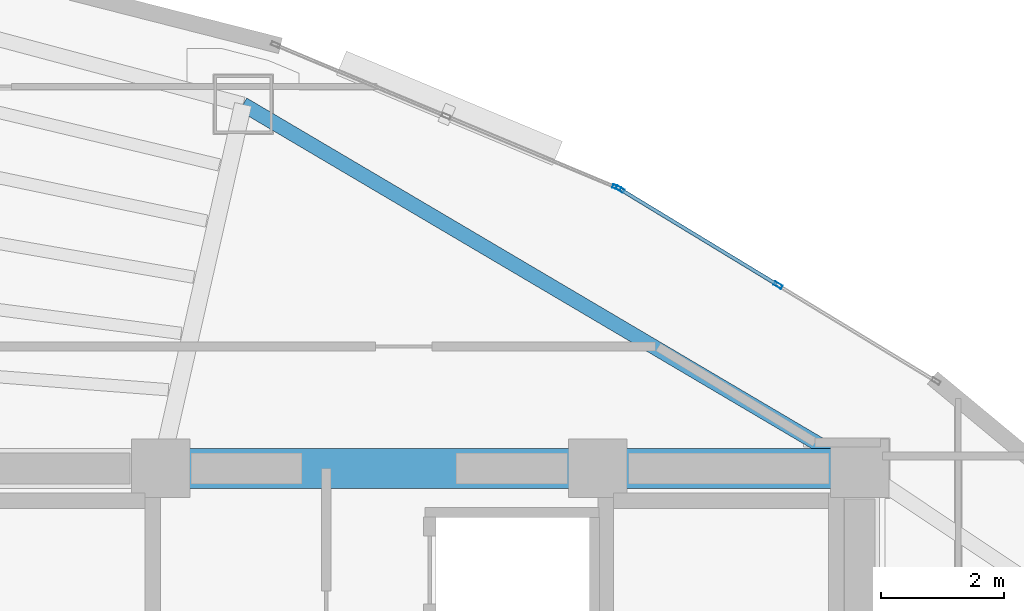
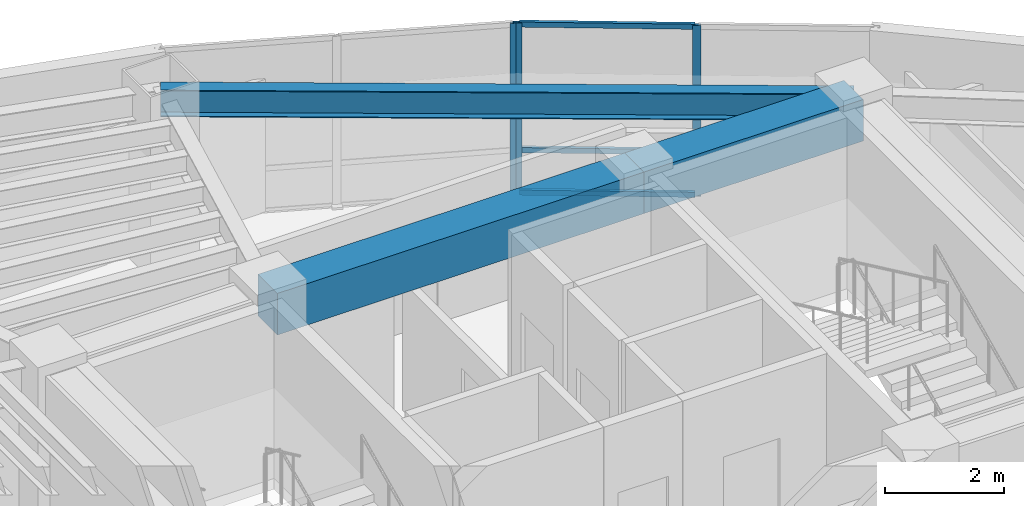
# One storey, part 8 of 15: 6 members, 3 beams, 2 elements without a shape of their own.
"""IFC4 building model written with IfcOpenShell, lengths in metres."""

from ifc_helpers import new_model, si_unit, direction, frame, origin, origin_2d, place, context, subcontext, project, spatial, rectangle, hollow_rectangle, i_section, extrude, material, layer, layer_set, material_profile, profile_set, type_object, element, aggregate, save


model = new_model("IFC4")

# Units and contexts
model_context = context("Model", 3, precision=1e-05, world=origin(), true_north=direction((0.0, 1.0)))
body_context = subcontext(model_context, "Body", "Model", "MODEL_VIEW")
ifc_project = project(units=[si_unit("LENGTHUNIT", "METRE"), si_unit("AREAUNIT", "SQUARE_METRE"), si_unit("VOLUMEUNIT", "CUBIC_METRE"), si_unit("PLANEANGLEUNIT", "RADIAN"), si_unit("MASSUNIT", "GRAM", prefix="KILO")], contexts=[model_context])

# Site, building, storey
site_placement = place(None, origin())
site = spatial("IfcSite", under=ifc_project, at=site_placement, CompositionType="ELEMENT")
building_placement = place(site_placement, origin())
building = spatial("IfcBuilding", under=site, at=building_placement, Name="Menara Vayukalpa", CompositionType="ELEMENT")
storey_placement = place(building_placement, frame((0.0, 0.0, 180.360107421875)))
storey = spatial("IfcBuildingStorey", under=building, at=storey_placement, Name="L45", CompositionType="ELEMENT", Elevation=180.360107421875)

# Beams
ifc_material_1 = material(Name="Concrete C60/75", Category="concrete")
ifc_material_profile_1 = material_profile(ifc_material_1, rectangle(XDim=0.64990234375, YDim=0.85009765625, at=origin_2d()), Name="RC 650x850")
ifc_profile_set_1 = profile_set([ifc_material_profile_1], Name="Concrete C60/75")
beam_type_1 = type_object("IfcBeamType", Name="BM-CB1", PredefinedType="BEAM", material=ifc_profile_set_1)
beam_1_placement = place(storey_placement, frame((22.050048828125, 26.800048828125, 3.074951171875), z_axis=(1.0, 0.0, 0.0), x_axis=(0.0, 1.0, 0.0)))
element("IfcBeam", 1, at=beam_1_placement, inside=storey, type_object=beam_type_1, Name="L45 Core Tie Beam CBR5", PredefinedType="BEAM", context=body_context, shape_type="SweptSolid", body=[
    extrude(rectangle(XDim=0.64990234375, YDim=0.85009765625, at=origin_2d()), origin(), (0.0, 0.0, 1.0), 7.099853515625),
])
beam_2_placement = place(storey_placement, frame((29.14990234375, 26.800048828125, 3.074951171875), z_axis=(1.0, 0.0, 0.0), x_axis=(0.0, 1.0, 0.0)))
element("IfcBeam", 2, at=beam_2_placement, inside=storey, type_object=beam_type_1, Name="L45 Core Tie Beam CBR6", PredefinedType="BEAM", context=body_context, shape_type="SweptSolid", body=[
    extrude(rectangle(XDim=0.64990234375, YDim=0.85009765625, at=origin_2d()), origin(), (0.0, 0.0, 1.0), 4.25),
])
ifc_material_2 = material(Name="Steel S355", Category="steel")
ifc_material_profile_2 = material_profile(ifc_material_2, i_section(OverallWidth=0.239990234375, OverallDepth=0.550048828125, WebThickness=0.010986328125, FlangeThickness=0.01904296875, at=origin_2d()), Name="WF 550x240x11x19")
ifc_profile_set_2 = profile_set([ifc_material_profile_2], Name="Steel S355")
beam_type_2 = type_object("IfcBeamType", Name="BM-SP2", PredefinedType="SPANDREL", material=ifc_profile_set_2)
beam_3_placement = place(storey_placement, frame((33.39990234375, 26.800048828125, 3.224853515625), z_axis=(-0.861184403346, 0.508292655302, 0.0), x_axis=(-0.508292655302, -0.861184403346, 0.0)))
element("IfcBeam", 3, at=beam_3_placement, inside=storey, type_object=beam_type_2, Name="L45 Perimeter Spandrel Beam SP02", PredefinedType="SPANDREL", context=body_context, shape_type="SweptSolid", body=[
    extrude(i_section(OverallWidth=0.239990234375, OverallDepth=0.550048828125, WebThickness=0.010986328125, FlangeThickness=0.01904296875, at=origin_2d()), origin(), (0.0, 0.0, 1.0), 11.6240234375),
])

# Curtain wall, members
ifc_material_3 = material(Name="Anodised Terracotta Aluminium Alloy 6063-T6", Category="masonry")
ifc_layer = layer(ifc_material_3, 0.139892578125)
ifc_layer_set = layer_set([ifc_layer], Name="Anodised Terracotta Aluminium Alloy 6063-T6")
curtain_wall_type = type_object("IfcCurtainWallType", Name="CW-CW5", PredefinedType="USERDEFINED", material=ifc_layer_set)
curtain_wall_1_placement = place(storey_placement, origin())
curtain_wall_1 = element("IfcCurtainWall", 4, at=curtain_wall_1_placement, inside=storey, type_object=curtain_wall_type, Name="L45 High Rise Tapered Curtain Wall CW5 04", ObjectType="UNITISED", PredefinedType="USERDEFINED")
ifc_material_4 = material(Name="Anodised Terracotta Aluminium Alloy 6063-T6", Category="masonry")
ifc_material_profile_3 = material_profile(ifc_material_4, hollow_rectangle(XDim=0.06005859375, YDim=0.139892578125, WallThickness=0.00341796875, at=origin_2d()), Name="ALU 60x140x3.5")
ifc_profile_set_3 = profile_set([ifc_material_profile_3], Name="Anodised Terracotta Aluminium Alloy 6063-T6")
member_type_1 = type_object("IfcMemberType", Name="CWM-CW5", PredefinedType="MULLION", material=ifc_profile_set_3)
member_1_placement = place(storey_placement, frame((32.075439453125, 29.773681640625, 0.0), z_axis=(0.0, 0.0, 1.0), x_axis=(-0.519179911779, -0.854664974832, 0.0)))
member_1 = element("IfcMember", 5, at=member_1_placement, type_object=member_type_1, Name="CW5 mullion 2", PredefinedType="MULLION", context=body_context, shape_type="SweptSolid", body=[
    extrude(hollow_rectangle(XDim=0.06005859375, YDim=0.139892578125, WallThickness=0.00341796875, at=origin_2d()), origin(), (0.0, 0.0, 1.0), 3.5),
])
member_2_placement = place(storey_placement, frame((29.509521484375, 31.33251953125, 0.0), z_axis=(0.0, 0.0, 1.0), x_axis=(-0.519179911779, -0.854664974832, 0.0)))
member_2 = element("IfcMember", 6, at=member_2_placement, type_object=member_type_1, Name="CW5 mullion 3", PredefinedType="MULLION", context=body_context, shape_type="SweptSolid", body=[
    extrude(hollow_rectangle(XDim=0.06005859375, YDim=0.139892578125, WallThickness=0.00341796875, at=origin_2d()), origin(), (0.0, 0.0, 1.0), 3.5),
])

# Curtain wall, member
curtain_wall_2_placement = place(storey_placement, origin())
curtain_wall_2 = element("IfcCurtainWall", 7, at=curtain_wall_2_placement, inside=storey, type_object=curtain_wall_type, Name="L45 High Rise Tapered Curtain Wall CW5 05", ObjectType="UNITISED", PredefinedType="USERDEFINED")
member_3_placement = place(storey_placement, frame((29.4560546875, 31.359619140625, 0.0), z_axis=(0.0, 0.0, 1.0), x_axis=(-0.385902834406, -0.922539431351, 0.0)))
member_3 = element("IfcMember", 8, at=member_3_placement, type_object=member_type_1, Name="CW5 mullion 1", PredefinedType="MULLION", context=body_context, shape_type="SweptSolid", body=[
    extrude(hollow_rectangle(XDim=0.06005859375, YDim=0.139892578125, WallThickness=0.00341796875, at=origin_2d()), origin(), (0.0, 0.0, 1.0), 3.5),
])
aggregate(curtain_wall_2, [member_3])

# Member
ifc_material_5 = material(Name="Anodised Terracotta Aluminium Alloy 6063-T6", Category="masonry")
ifc_material_profile_4 = material_profile(ifc_material_5, hollow_rectangle(XDim=0.06005859375, YDim=0.10498046875, WallThickness=0.0029296875, at=origin_2d()), Name="ALU 60x105x3")
ifc_profile_set_4 = profile_set([ifc_material_profile_4], Name="Anodised Terracotta Aluminium Alloy 6063-T6")
member_type_2 = type_object("IfcMemberType", Name="CWT-CW5", PredefinedType="USERDEFINED", material=ifc_profile_set_4)
member_4_placement = place(storey_placement, frame((32.0498046875, 29.789306640625, 0.02978515625), z_axis=(-0.85466128475, 0.51918598628, 0.0), x_axis=(-0.51918598628, -0.85466128475, 0.0)))
member_4 = element("IfcMember", 9, at=member_4_placement, type_object=member_type_2, Name="CW5 transom 2.1", ObjectType="TRANSOM", PredefinedType="USERDEFINED", context=body_context, shape_type="SweptSolid", body=[
    extrude(hollow_rectangle(XDim=0.06005859375, YDim=0.10498046875, WallThickness=0.0029296875, at=origin_2d()), origin(), (0.0, 0.0, 1.0), 2.9423828125),
])

member_5_placement = place(storey_placement, frame((32.0498046875, 29.789306640625, 0.89990234375), z_axis=(-0.85466128475, 0.51918598628, 0.0), x_axis=(-0.51918598628, -0.85466128475, 0.0)))
member_5 = element("IfcMember", 10, at=member_5_placement, type_object=member_type_2, Name="CW5 transom 2.2", ObjectType="TRANSOM", PredefinedType="USERDEFINED", context=body_context, shape_type="SweptSolid", body=[
    extrude(hollow_rectangle(XDim=0.06005859375, YDim=0.10498046875, WallThickness=0.0029296875, at=origin_2d()), origin(), (0.0, 0.0, 1.0), 2.9423828125),
])

member_6_placement = place(storey_placement, frame((32.0498046875, 29.789306640625, 3.469970703125), z_axis=(-0.85466128475, 0.51918598628, 0.0), x_axis=(-0.51918598628, -0.85466128475, 0.0)))
member_6 = element("IfcMember", 11, at=member_6_placement, type_object=member_type_2, Name="CW5 transom 2.3", ObjectType="TRANSOM", PredefinedType="USERDEFINED", context=body_context, shape_type="SweptSolid", body=[
    extrude(hollow_rectangle(XDim=0.06005859375, YDim=0.10498046875, WallThickness=0.0029296875, at=origin_2d()), origin(), (0.0, 0.0, 1.0), 2.9423828125),
])

aggregate(curtain_wall_1, [member_1, member_2, member_4, member_5, member_6])

save(model, "model.ifc")
